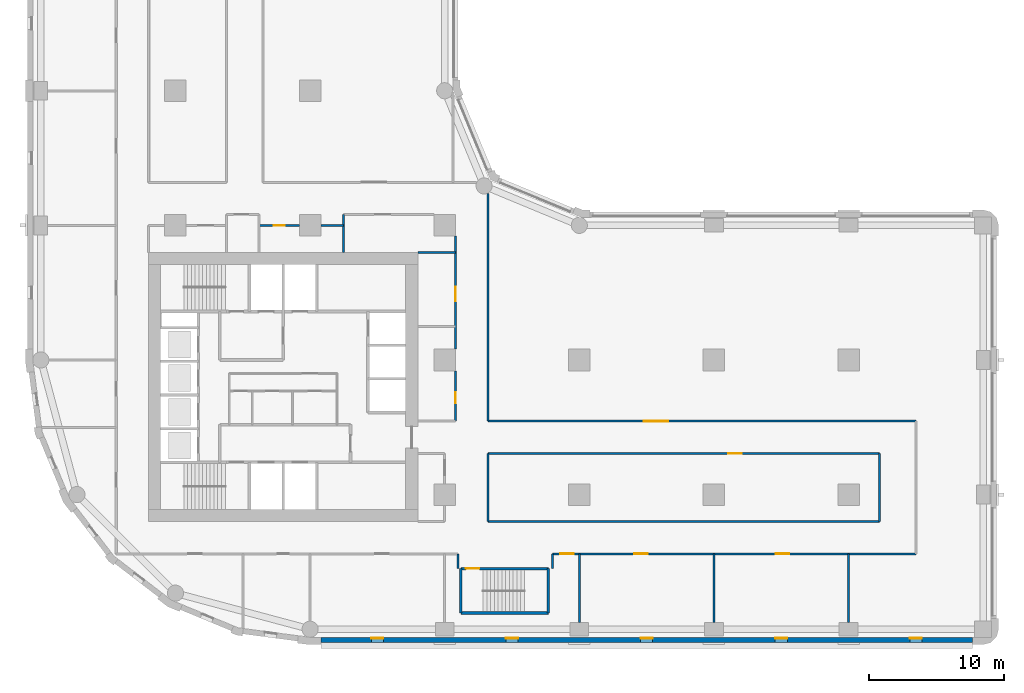
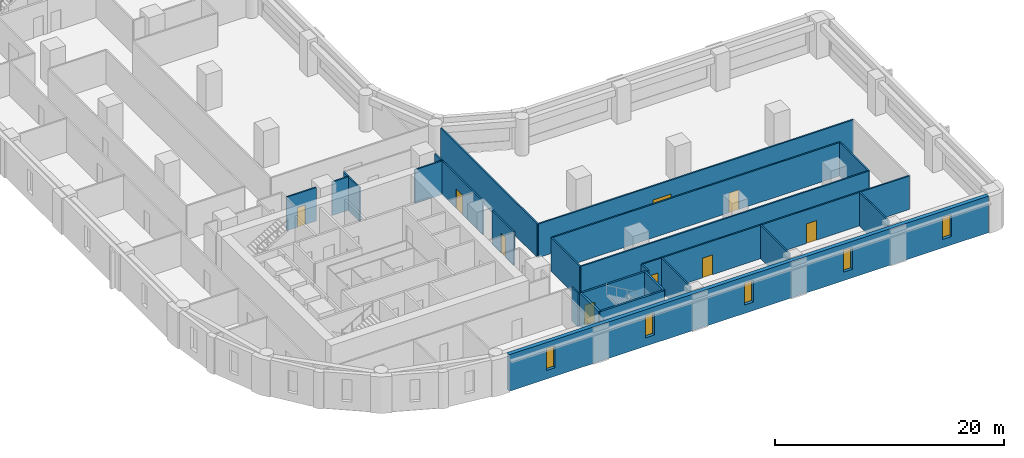
# One storey, part 4 of 10: 23 walls, 9 doors, 5 windows, 14 openings.
"""IFC4 building model written with IfcOpenShell, lengths in metres."""

from ifc_helpers import new_model, si_unit, direction, frame, frame_2d, origin, place, context, subcontext, project, spatial, rectangle, extrude, material, layer, layer_set, type_object, element, fill, save


model = new_model("IFC4")

# Units and contexts
model_context = context("Model", 3, precision=1e-05, world=origin(), true_north=direction((0.0, 1.0)))
body_context = subcontext(model_context, "Body", "Model", "MODEL_VIEW")
ifc_project = project(units=[si_unit("LENGTHUNIT", "METRE"), si_unit("AREAUNIT", "SQUARE_METRE"), si_unit("VOLUMEUNIT", "CUBIC_METRE"), si_unit("PLANEANGLEUNIT", "RADIAN"), si_unit("MASSUNIT", "GRAM", prefix="KILO")], contexts=[model_context])

# Site, building, storey
site_placement = place(None, origin())
site = spatial("IfcSite", under=ifc_project, at=site_placement, CompositionType="ELEMENT")
building_placement = place(site_placement, origin())
building = spatial("IfcBuilding", under=site, at=building_placement, Name="Qaws Garden Tower", CompositionType="ELEMENT")
storey_placement = place(building_placement, frame((0.0, 0.0, 47.10009765625)))
storey = spatial("IfcBuildingStorey", under=building, at=storey_placement, Name="L11", CompositionType="ELEMENT", Elevation=47.10009765625)

# Wall, openings, windows
ifc_material_1 = material(Name="Clay facing brick masonry", Category="masonry")
ifc_layer_1 = layer(ifc_material_1, 0.39990234375)
ifc_layer_set_1 = layer_set([ifc_layer_1], Name="Clay facing brick masonry")
wall_type_1 = type_object("IfcWallType", Name="Brick infill wall 400", PredefinedType="SOLIDWALL", material=ifc_layer_set_1)
wall_1_placement = place(storey_placement, frame((20.800048828125, -0.800048828125, 0.0), z_axis=(0.0, 0.0, 1.0), x_axis=(1.0, 0.0, 0.0)))
wall_1 = element("IfcWall", 1, at=wall_1_placement, inside=storey, type_object=wall_type_1, Name="E-L11-infill-00", PredefinedType="SOLIDWALL", context=body_context, shape_type="SweptSolid", body=[
    extrude(rectangle(XDim=48.39990234375, YDim=0.39990234375, at=frame_2d((24.199951171875, 0.0))), origin(), (0.0, 0.0, 1.0), 3.89990234375),
])
opening_1_placement = place(wall_1_placement, frame((3.75, 0.0, 0.89990234375)))
opening_1 = element("IfcOpeningElement", 2, at=opening_1_placement, cuts=wall_1, Name="Opening W09", PredefinedType="OPENING", context=body_context, shape_type="SweptSolid", body=[
    extrude(rectangle(XDim=0.89990234375, YDim=2.35009765625, at=frame_2d((0.449951171875, 1.175048828125))), frame((0.0, 0.2099609375, 0.0), z_axis=(0.0, -1.0, 0.0), x_axis=(1.0, 0.0, 0.0)), (0.0, 0.0, 1.0), 0.419921875),
])
opening_2_placement = place(wall_1_placement, frame((13.75, 0.0, 0.89990234375)))
opening_2 = element("IfcOpeningElement", 3, at=opening_2_placement, cuts=wall_1, Name="Opening W09", PredefinedType="OPENING", context=body_context, shape_type="SweptSolid", body=[
    extrude(rectangle(XDim=0.89990234375, YDim=2.35009765625, at=frame_2d((0.449951171875, 1.175048828125))), frame((0.0, 0.2099609375, 0.0), z_axis=(0.0, -1.0, 0.0), x_axis=(1.0, 0.0, 0.0)), (0.0, 0.0, 1.0), 0.419921875),
])
opening_3_placement = place(wall_1_placement, frame((23.75, 0.0, 0.89990234375)))
opening_3 = element("IfcOpeningElement", 4, at=opening_3_placement, cuts=wall_1, Name="Opening W09", PredefinedType="OPENING", context=body_context, shape_type="SweptSolid", body=[
    extrude(rectangle(XDim=0.89990234375, YDim=2.35009765625, at=frame_2d((0.449951171875, 1.175048828125))), frame((0.0, 0.2099609375, 0.0), z_axis=(0.0, -1.0, 0.0), x_axis=(1.0, 0.0, 0.0)), (0.0, 0.0, 1.0), 0.419921875),
])
opening_4_placement = place(wall_1_placement, frame((33.75, 0.0, 0.89990234375)))
opening_4 = element("IfcOpeningElement", 5, at=opening_4_placement, cuts=wall_1, Name="Opening W09", PredefinedType="OPENING", context=body_context, shape_type="SweptSolid", body=[
    extrude(rectangle(XDim=0.89990234375, YDim=2.35009765625, at=frame_2d((0.449951171875, 1.175048828125))), frame((0.0, 0.2099609375, 0.0), z_axis=(0.0, -1.0, 0.0), x_axis=(1.0, 0.0, 0.0)), (0.0, 0.0, 1.0), 0.419921875),
])
opening_5_placement = place(wall_1_placement, frame((43.75, 0.0, 0.89990234375)))
opening_5 = element("IfcOpeningElement", 6, at=opening_5_placement, cuts=wall_1, Name="Opening W09", PredefinedType="OPENING", context=body_context, shape_type="SweptSolid", body=[
    extrude(rectangle(XDim=0.89990234375, YDim=2.35009765625, at=frame_2d((0.449951171875, 1.175048828125))), frame((0.0, 0.2099609375, 0.0), z_axis=(0.0, -1.0, 0.0), x_axis=(1.0, 0.0, 0.0)), (0.0, 0.0, 1.0), 0.419921875),
])
ifc_material_2 = material(Name="Aluminium framed window, clear glazing", Category="aluminium")
window_type = type_object("IfcWindowType", Name="Slit window 900 x 2350", PartitioningType="SINGLE_PANEL", PredefinedType="WINDOW", material=ifc_material_2)
window_1_placement = place(opening_1_placement, origin())
window_1 = element("IfcWindow", 7, at=window_1_placement, inside=storey, type_object=window_type, Name="E-L11-window-00-0", OverallHeight=2.35009765625, OverallWidth=0.89990234375, PartitioningType="SINGLE_PANEL", PredefinedType="WINDOW", context=body_context, shape_type="SweptSolid", body=[
    extrude(rectangle(XDim=0.89990234375, YDim=2.35009765625, at=frame_2d((0.449951171875, 1.175048828125))), frame((0.0, 0.159912109375, 0.0), z_axis=(0.0, -1.0, 0.0), x_axis=(1.0, 0.0, 0.0)), (0.0, 0.0, 1.0), 0.06005859375),
])
fill(opening_1, window_1)
window_2_placement = place(opening_2_placement, origin())
window_2 = element("IfcWindow", 8, at=window_2_placement, inside=storey, type_object=window_type, Name="E-L11-window-01-0", OverallHeight=2.35009765625, OverallWidth=0.89990234375, PartitioningType="SINGLE_PANEL", PredefinedType="WINDOW", context=body_context, shape_type="SweptSolid", body=[
    extrude(rectangle(XDim=0.89990234375, YDim=2.35009765625, at=frame_2d((0.449951171875, 1.175048828125))), frame((0.0, 0.159912109375, 0.0), z_axis=(0.0, -1.0, 0.0), x_axis=(1.0, 0.0, 0.0)), (0.0, 0.0, 1.0), 0.06005859375),
])
fill(opening_2, window_2)
window_3_placement = place(opening_3_placement, origin())
window_3 = element("IfcWindow", 9, at=window_3_placement, inside=storey, type_object=window_type, Name="E-L11-window-02-0", OverallHeight=2.35009765625, OverallWidth=0.89990234375, PartitioningType="SINGLE_PANEL", PredefinedType="WINDOW", context=body_context, shape_type="SweptSolid", body=[
    extrude(rectangle(XDim=0.89990234375, YDim=2.35009765625, at=frame_2d((0.449951171875, 1.175048828125))), frame((0.0, 0.159912109375, 0.0), z_axis=(0.0, -1.0, 0.0), x_axis=(1.0, 0.0, 0.0)), (0.0, 0.0, 1.0), 0.06005859375),
])
fill(opening_3, window_3)
window_4_placement = place(opening_4_placement, origin())
window_4 = element("IfcWindow", 10, at=window_4_placement, inside=storey, type_object=window_type, Name="E-L11-window-03-0", OverallHeight=2.35009765625, OverallWidth=0.89990234375, PartitioningType="SINGLE_PANEL", PredefinedType="WINDOW", context=body_context, shape_type="SweptSolid", body=[
    extrude(rectangle(XDim=0.89990234375, YDim=2.35009765625, at=frame_2d((0.449951171875, 1.175048828125))), frame((0.0, 0.159912109375, 0.0), z_axis=(0.0, -1.0, 0.0), x_axis=(1.0, 0.0, 0.0)), (0.0, 0.0, 1.0), 0.06005859375),
])
fill(opening_4, window_4)
window_5_placement = place(opening_5_placement, origin())
window_5 = element("IfcWindow", 11, at=window_5_placement, inside=storey, type_object=window_type, Name="E-L11-window-04-0", OverallHeight=2.35009765625, OverallWidth=0.89990234375, PartitioningType="SINGLE_PANEL", PredefinedType="WINDOW", context=body_context, shape_type="SweptSolid", body=[
    extrude(rectangle(XDim=0.89990234375, YDim=2.35009765625, at=frame_2d((0.449951171875, 1.175048828125))), frame((0.0, 0.159912109375, 0.0), z_axis=(0.0, -1.0, 0.0), x_axis=(1.0, 0.0, 0.0)), (0.0, 0.0, 1.0), 0.06005859375),
])
fill(opening_5, window_5)

# Wall
ifc_material_3 = material(Name="Concrete C80", Category="concrete")
ifc_layer_2 = layer(ifc_material_3, 0.199951171875)
ifc_layer_set_2 = layer_set([ifc_layer_2], Name="Concrete C80")
wall_type_2 = type_object("IfcWallType", Name="Core shaft wall 200 C80", PredefinedType="SHEAR", material=ifc_layer_set_2)
wall_2_placement = place(storey_placement, frame((31.199951171875, 1.199951171875, 0.0), z_axis=(0.0, 0.0, 1.0), x_axis=(1.0, 0.0, 0.0)))
element("IfcWall", 12, at=wall_2_placement, inside=storey, type_object=wall_type_2, Name="Shaft wall", PredefinedType="SHEAR", context=body_context, shape_type="SweptSolid", body=[
    extrude(rectangle(XDim=6.5, YDim=0.199951171875, at=frame_2d((3.25, 0.0))), origin(), (0.0, 0.0, 1.0), 3.579833984375),
])

# Wall, opening, door
wall_3_placement = place(storey_placement, frame((31.199951171875, 4.5, 0.0), z_axis=(0.0, 0.0, 1.0), x_axis=(1.0, 0.0, 0.0)))
wall_3 = element("IfcWall", 13, at=wall_3_placement, inside=storey, type_object=wall_type_2, Name="Shaft wall", PredefinedType="SHEAR", context=body_context, shape_type="SweptSolid", body=[
    extrude(rectangle(XDim=6.5, YDim=0.199951171875, at=frame_2d((3.25, 0.0))), origin(), (0.0, 0.0, 1.0), 3.579833984375),
])
opening_6_placement = place(wall_3_placement, frame((0.375, 0.0, 0.0)))
opening_6 = element("IfcOpeningElement", 14, at=opening_6_placement, cuts=wall_3, Name="Opening SD12", PredefinedType="OPENING", context=body_context, shape_type="SweptSolid", body=[
    extrude(rectangle(XDim=1.0, YDim=2.10009765625, at=frame_2d((0.5, 1.050048828125))), frame((0.0, 0.10986328125, 0.0), z_axis=(0.0, -1.0, 0.0), x_axis=(1.0, 0.0, 0.0)), (0.0, 0.0, 1.0), 0.219970703125),
])
ifc_material_4 = material(Name="Steel S235", Category="steel")
door_type_1 = type_object("IfcDoorType", Name="Stair door 1000x2100", OperationType="SINGLE_SWING_RIGHT", PredefinedType="DOOR", material=ifc_material_4)
door_1_placement = place(opening_6_placement, frame((1.0, 0.0, 0.0), z_axis=(0.0, 0.0, 1.0), x_axis=(-1.0, 0.0, 0.0)))
door_1 = element("IfcDoor", 15, at=door_1_placement, inside=storey, type_object=door_type_1, Name="Stair 5 door", OperationType="SINGLE_SWING_RIGHT", OverallHeight=2.10009765625, OverallWidth=1.0, PredefinedType="DOOR", context=body_context, shape_type="SweptSolid", body=[
    extrude(rectangle(XDim=1.0, YDim=2.10009765625, at=frame_2d((0.5, 1.050048828125))), frame((0.0, 0.02490234375, 0.0), z_axis=(0.0, -1.0, 0.0), x_axis=(1.0, 0.0, 0.0)), (0.0, 0.0, 1.0), 0.050048828125),
])
fill(opening_6, door_1)

# Walls
for number, where, z_axis, x_axis, name in (
    (16, (31.199951171875, 1.199951171875, 0.0), (0.0, 0.0, 1.0), (0.0, 1.0, 0.0), "Shaft wall"),
    (17, (37.699951171875, 1.199951171875, 0.0), (0.0, 0.0, 1.0), (0.0, 1.0, 0.0), "Shaft wall"),
):
    element("IfcWall", number, at=place(storey_placement, frame(where, z_axis=z_axis, x_axis=x_axis)), inside=storey, type_object=wall_type_2, Name=name, PredefinedType="SHEAR", context=body_context, shape_type="SweptSolid", body=[
        extrude(rectangle(XDim=3.300048828125, YDim=0.199951171875, at=frame_2d((1.64990234375, 0.0))), origin(), (0.0, 0.0, 1.0), 3.579833984375),
    ])
ifc_material_5 = material(Name="Gypsum board partition")
ifc_layer_3 = layer(ifc_material_5, 0.14990234375)
ifc_layer_set_3 = layer_set([ifc_layer_3], Name="Gypsum board partition")
wall_type_3 = type_object("IfcWallType", Name="PARTITION 150 EI 60", PredefinedType="PARTITIONING", material=ifc_layer_set_3)
wall_4_placement = place(storey_placement, frame((22.5, 28.0, 0.0), z_axis=(0.0, 0.0, 1.0), x_axis=(0.0, 1.0, 0.0)))
element("IfcWall", 18, at=wall_4_placement, inside=storey, type_object=wall_type_3, Name="O-L11-wall-012", PredefinedType="PARTITIONING", context=body_context, shape_type="SweptSolid", body=[
    extrude(rectangle(XDim=2.800048828125, YDim=0.14990234375, at=frame_2d((1.39990234375, 0.0))), origin(), (0.0, 0.0, 1.0), 3.579833984375),
])

# Wall, opening, door
wall_5_placement = place(storey_placement, frame((30.800048828125, 15.449951171875, 0.0), z_axis=(0.0, 0.0, 1.0), x_axis=(0.0, 1.0, 0.0)))
wall_5 = element("IfcWall", 19, at=wall_5_placement, inside=storey, type_object=wall_type_3, Name="O-L11-wall-018", PredefinedType="PARTITIONING", context=body_context, shape_type="SweptSolid", body=[
    extrude(rectangle(XDim=3.75, YDim=0.14990234375, at=frame_2d((1.875, 0.0))), origin(), (0.0, 0.0, 1.0), 3.579833984375),
])
opening_7_placement = place(wall_5_placement, frame((1.35009765625, 0.0, 0.0)))
opening_7 = element("IfcOpeningElement", 20, at=opening_7_placement, cuts=wall_5, Name="Opening A408", PredefinedType="OPENING", context=body_context, shape_type="SweptSolid", body=[
    extrude(rectangle(XDim=0.800048828125, YDim=2.10009765625, at=frame_2d((0.39990234375, 1.050048828125))), frame((0.0, 0.0849609375, 0.0), z_axis=(0.0, -1.0, 0.0), x_axis=(1.0, 0.0, 0.0)), (0.0, 0.0, 1.0), 0.169921875),
])
ifc_material_6 = material(Name="Timber door leaf", Category="wood")
door_type_2 = type_object("IfcDoorType", Name="STORE DOOR 800 X 2100", OperationType="SINGLE_SWING_LEFT", PredefinedType="DOOR", material=ifc_material_6)
door_2_placement = place(opening_7_placement, origin())
door_2 = element("IfcDoor", 21, at=door_2_placement, inside=storey, type_object=door_type_2, Name="O-L11-door-008", OperationType="SINGLE_SWING_LEFT", OverallHeight=2.10009765625, OverallWidth=0.800048828125, PredefinedType="DOOR", context=body_context, shape_type="SweptSolid", body=[
    extrude(rectangle(XDim=0.800048828125, YDim=2.10009765625, at=frame_2d((0.39990234375, 1.050048828125))), frame((0.0, 0.02490234375, 0.0), z_axis=(0.0, -1.0, 0.0), x_axis=(1.0, 0.0, 0.0)), (0.0, 0.0, 1.0), 0.050048828125),
])
fill(opening_7, door_2)

wall_6_placement = place(storey_placement, frame((30.800048828125, 20.800048828125, 0.0), z_axis=(0.0, 0.0, 1.0), x_axis=(0.0, 1.0, 0.0)))
wall_6 = element("IfcWall", 22, at=wall_6_placement, inside=storey, type_object=wall_type_3, Name="O-L11-wall-019", PredefinedType="PARTITIONING", context=body_context, shape_type="SweptSolid", body=[
    extrude(rectangle(XDim=8.39990234375, YDim=0.14990234375, at=frame_2d((4.199951171875, 0.0))), origin(), (0.0, 0.0, 1.0), 3.579833984375),
])
opening_8_placement = place(wall_6_placement, frame((3.550048828125, 0.0, 0.0)))
opening_8 = element("IfcOpeningElement", 23, at=opening_8_placement, cuts=wall_6, Name="Opening A409", PredefinedType="OPENING", context=body_context, shape_type="SweptSolid", body=[
    extrude(rectangle(XDim=1.10009765625, YDim=2.10009765625, at=frame_2d((0.550048828125, 1.050048828125))), frame((0.0, 0.0849609375, 0.0), z_axis=(0.0, -1.0, 0.0), x_axis=(1.0, 0.0, 0.0)), (0.0, 0.0, 1.0), 0.169921875),
])
ifc_material_7 = material(Name="Timber door leaf", Category="wood")
door_type_3 = type_object("IfcDoorType", Name="SERVICE ROOM DOOR 1100 X 2100", OperationType="SINGLE_SWING_LEFT", PredefinedType="DOOR", material=ifc_material_7)
door_3_placement = place(opening_8_placement, origin())
door_3 = element("IfcDoor", 24, at=door_3_placement, inside=storey, type_object=door_type_3, Name="O-L11-door-009", OperationType="SINGLE_SWING_RIGHT", OverallHeight=2.10009765625, OverallWidth=1.10009765625, PredefinedType="DOOR", context=body_context, shape_type="SweptSolid", body=[
    extrude(rectangle(XDim=1.10009765625, YDim=2.10009765625, at=frame_2d((0.550048828125, 1.050048828125))), frame((0.0, 0.02490234375, 0.0), z_axis=(0.0, -1.0, 0.0), x_axis=(1.0, 0.0, 0.0)), (0.0, 0.0, 1.0), 0.050048828125),
])
fill(opening_8, door_3)

# Walls
wall_7_placement = place(storey_placement, frame((31.0, 4.5, 0.0), z_axis=(0.0, 0.0, 1.0), x_axis=(0.0, 1.0, 0.0)))
element("IfcWall", 25, at=wall_7_placement, inside=storey, type_object=wall_type_3, Name="O-L11-wall-020", PredefinedType="PARTITIONING", context=body_context, shape_type="SweptSolid", body=[
    extrude(rectangle(XDim=1.10009765625, YDim=0.14990234375, at=frame_2d((0.550048828125, 0.0))), origin(), (0.0, 0.0, 1.0), 3.579833984375),
])
wall_8_placement = place(storey_placement, frame((33.199951171875, 8.0, 0.0), z_axis=(0.0, 0.0, 1.0), x_axis=(0.0, 1.0, 0.0)))
element("IfcWall", 26, at=wall_8_placement, inside=storey, type_object=wall_type_3, Name="O-L11-wall-021", PredefinedType="PARTITIONING", context=body_context, shape_type="SweptSolid", body=[
    extrude(rectangle(XDim=5.050048828125, YDim=0.14990234375, at=frame_2d((2.52490234375, 0.0))), origin(), (0.0, 0.0, 1.0), 3.579833984375),
])
wall_9_placement = place(storey_placement, frame((33.199951171875, 15.449951171875, 0.0), z_axis=(0.0, 0.0, 1.0), x_axis=(0.0, 1.0, 0.0)))
element("IfcWall", 27, at=wall_9_placement, inside=storey, type_object=wall_type_3, Name="O-L11-wall-022", PredefinedType="PARTITIONING", context=body_context, shape_type="SweptSolid", body=[
    extrude(rectangle(XDim=16.912109375, YDim=0.14990234375, at=frame_2d((8.4560546875, 0.0))), origin(), (0.0, 0.0, 1.0), 3.579833984375),
])
wall_10_placement = place(storey_placement, frame((38.0, 4.5, 0.0), z_axis=(0.0, 0.0, 1.0), x_axis=(0.0, 1.0, 0.0)))
element("IfcWall", 28, at=wall_10_placement, inside=storey, type_object=wall_type_3, Name="O-L11-wall-023", PredefinedType="PARTITIONING", context=body_context, shape_type="SweptSolid", body=[
    extrude(rectangle(XDim=1.10009765625, YDim=0.14990234375, at=frame_2d((0.550048828125, 0.0))), origin(), (0.0, 0.0, 1.0), 3.579833984375),
])
for number, where, z_axis, x_axis, name in (
    (29, (40.0, 0.5, 0.0), (0.0, 0.0, 1.0), (0.0, 1.0, 0.0), "O-L11-wall-024"),
    (30, (50.0, 0.5, 0.0), (0.0, 0.0, 1.0), (0.0, 1.0, 0.0), "O-L11-wall-025"),
    (31, (60.0, 0.5, 0.0), (0.0, 0.0, 1.0), (0.0, 1.0, 0.0), "O-L11-wall-026"),
):
    element("IfcWall", number, at=place(storey_placement, frame(where, z_axis=z_axis, x_axis=x_axis)), inside=storey, type_object=wall_type_3, Name=name, PredefinedType="PARTITIONING", context=body_context, shape_type="SweptSolid", body=[
        extrude(rectangle(XDim=5.10009765625, YDim=0.14990234375, at=frame_2d((2.550048828125, 0.0))), origin(), (0.0, 0.0, 1.0), 3.579833984375),
    ])
wall_11_placement = place(storey_placement, frame((62.300048828125, 8.0, 0.0), z_axis=(0.0, 0.0, 1.0), x_axis=(0.0, 1.0, 0.0)))
element("IfcWall", 32, at=wall_11_placement, inside=storey, type_object=wall_type_3, Name="O-L11-wall-027", PredefinedType="PARTITIONING", context=body_context, shape_type="SweptSolid", body=[
    extrude(rectangle(XDim=5.050048828125, YDim=0.14990234375, at=frame_2d((2.52490234375, 0.0))), origin(), (0.0, 0.0, 1.0), 3.579833984375),
])

# Wall, openings, doors
wall_12_placement = place(storey_placement, frame((38.0, 5.60009765625, 0.0), z_axis=(0.0, 0.0, 1.0), x_axis=(1.0, 0.0, 0.0)))
wall_12 = element("IfcWall", 33, at=wall_12_placement, inside=storey, type_object=wall_type_3, Name="O-L11-wall-030", PredefinedType="PARTITIONING", context=body_context, shape_type="SweptSolid", body=[
    extrude(rectangle(XDim=27.0, YDim=0.14990234375, at=frame_2d((13.5, 0.0))), origin(), (0.0, 0.0, 1.0), 3.579833984375),
])
opening_9_placement = place(wall_12_placement, frame((6.10009765625, 0.0, 0.0)))
opening_9 = element("IfcOpeningElement", 34, at=opening_9_placement, cuts=wall_12, Name="Opening A403", PredefinedType="OPENING", context=body_context, shape_type="SweptSolid", body=[
    extrude(rectangle(XDim=1.0, YDim=2.10009765625, at=frame_2d((0.5, 1.050048828125))), frame((0.0, 0.0849609375, 0.0), z_axis=(0.0, -1.0, 0.0), x_axis=(1.0, 0.0, 0.0)), (0.0, 0.0, 1.0), 0.169921875),
])
opening_10_placement = place(wall_12_placement, frame((16.60009765625, 0.0, 0.0)))
opening_10 = element("IfcOpeningElement", 35, at=opening_10_placement, cuts=wall_12, Name="Opening A404", PredefinedType="OPENING", context=body_context, shape_type="SweptSolid", body=[
    extrude(rectangle(XDim=1.0, YDim=2.10009765625, at=frame_2d((0.5, 1.050048828125))), frame((0.0, 0.0849609375, 0.0), z_axis=(0.0, -1.0, 0.0), x_axis=(1.0, 0.0, 0.0)), (0.0, 0.0, 1.0), 0.169921875),
])
opening_11_placement = place(wall_12_placement, frame((0.60009765625, 0.0, 0.0)))
opening_11 = element("IfcOpeningElement", 36, at=opening_11_placement, cuts=wall_12, Name="Opening A424", PredefinedType="OPENING", context=body_context, shape_type="SweptSolid", body=[
    extrude(rectangle(XDim=1.0, YDim=2.10009765625, at=frame_2d((0.5, 1.050048828125))), frame((0.0, 0.0849609375, 0.0), z_axis=(0.0, -1.0, 0.0), x_axis=(1.0, 0.0, 0.0)), (0.0, 0.0, 1.0), 0.169921875),
])
ifc_material_8 = material(Name="Timber door leaf", Category="wood")
door_type_4 = type_object("IfcDoorType", Name="TENANCY ENTRANCE DOOR 1000 X 2100", OperationType="SINGLE_SWING_LEFT", PredefinedType="DOOR", material=ifc_material_8)
door_4_placement = place(opening_9_placement, frame((1.0, 0.0, 0.0), z_axis=(0.0, 0.0, 1.0), x_axis=(-1.0, 0.0, 0.0)))
door_4 = element("IfcDoor", 37, at=door_4_placement, inside=storey, type_object=door_type_4, Name="O-L11-door-003", OperationType="SINGLE_SWING_RIGHT", OverallHeight=2.10009765625, OverallWidth=1.0, PredefinedType="DOOR", context=body_context, shape_type="SweptSolid", body=[
    extrude(rectangle(XDim=1.0, YDim=2.10009765625, at=frame_2d((0.5, 1.050048828125))), frame((0.0, 0.02490234375, 0.0), z_axis=(0.0, -1.0, 0.0), x_axis=(1.0, 0.0, 0.0)), (0.0, 0.0, 1.0), 0.050048828125),
])
fill(opening_9, door_4)
door_5_placement = place(opening_10_placement, frame((1.0, 0.0, 0.0), z_axis=(0.0, 0.0, 1.0), x_axis=(-1.0, 0.0, 0.0)))
door_5 = element("IfcDoor", 38, at=door_5_placement, inside=storey, type_object=door_type_4, Name="O-L11-door-004", OperationType="SINGLE_SWING_RIGHT", OverallHeight=2.10009765625, OverallWidth=1.0, PredefinedType="DOOR", context=body_context, shape_type="SweptSolid", body=[
    extrude(rectangle(XDim=1.0, YDim=2.10009765625, at=frame_2d((0.5, 1.050048828125))), frame((0.0, 0.02490234375, 0.0), z_axis=(0.0, -1.0, 0.0), x_axis=(1.0, 0.0, 0.0)), (0.0, 0.0, 1.0), 0.050048828125),
])
fill(opening_10, door_5)
door_6_placement = place(opening_11_placement, frame((1.0, 0.0, 0.0), z_axis=(0.0, 0.0, 1.0), x_axis=(-1.0, 0.0, 0.0)))
door_6 = element("IfcDoor", 39, at=door_6_placement, inside=storey, type_object=door_type_4, Name="O-L11-door-024", OperationType="SINGLE_SWING_LEFT", OverallHeight=2.10009765625, OverallWidth=1.0, PredefinedType="DOOR", context=body_context, shape_type="SweptSolid", body=[
    extrude(rectangle(XDim=1.0, YDim=2.10009765625, at=frame_2d((0.5, 1.050048828125))), frame((0.0, 0.02490234375, 0.0), z_axis=(0.0, -1.0, 0.0), x_axis=(1.0, 0.0, 0.0)), (0.0, 0.0, 1.0), 0.050048828125),
])
fill(opening_11, door_6)

# Wall
wall_13_placement = place(storey_placement, frame((33.199951171875, 8.0, 0.0), z_axis=(0.0, 0.0, 1.0), x_axis=(1.0, 0.0, 0.0)))
element("IfcWall", 40, at=wall_13_placement, inside=storey, type_object=wall_type_3, Name="O-L11-wall-032", PredefinedType="PARTITIONING", context=body_context, shape_type="SweptSolid", body=[
    extrude(rectangle(XDim=29.10009765625, YDim=0.14990234375, at=frame_2d((14.550048828125, 0.0))), origin(), (0.0, 0.0, 1.0), 3.579833984375),
])

# Wall, opening, door
wall_14_placement = place(storey_placement, frame((33.199951171875, 13.050048828125, 0.0), z_axis=(0.0, 0.0, 1.0), x_axis=(1.0, 0.0, 0.0)))
wall_14 = element("IfcWall", 41, at=wall_14_placement, inside=storey, type_object=wall_type_3, Name="O-L11-wall-034", PredefinedType="PARTITIONING", context=body_context, shape_type="SweptSolid", body=[
    extrude(rectangle(XDim=29.10009765625, YDim=0.14990234375, at=frame_2d((14.550048828125, 0.0))), origin(), (0.0, 0.0, 1.0), 3.579833984375),
])
opening_12_placement = place(wall_14_placement, frame((17.85009765625, 0.0, 0.0)))
opening_12 = element("IfcOpeningElement", 42, at=opening_12_placement, cuts=wall_14, Name="Opening A405", PredefinedType="OPENING", context=body_context, shape_type="SweptSolid", body=[
    extrude(rectangle(XDim=1.0, YDim=2.10009765625, at=frame_2d((0.5, 1.050048828125))), frame((0.0, 0.0849609375, 0.0), z_axis=(0.0, -1.0, 0.0), x_axis=(1.0, 0.0, 0.0)), (0.0, 0.0, 1.0), 0.169921875),
])
door_7_placement = place(opening_12_placement, frame((1.0, 0.0, 0.0), z_axis=(0.0, 0.0, 1.0), x_axis=(-1.0, 0.0, 0.0)))
door_7 = element("IfcDoor", 43, at=door_7_placement, inside=storey, type_object=door_type_4, Name="O-L11-door-005", OperationType="SINGLE_SWING_RIGHT", OverallHeight=2.10009765625, OverallWidth=1.0, PredefinedType="DOOR", context=body_context, shape_type="SweptSolid", body=[
    extrude(rectangle(XDim=1.0, YDim=2.10009765625, at=frame_2d((0.5, 1.050048828125))), frame((0.0, 0.02490234375, 0.0), z_axis=(0.0, -1.0, 0.0), x_axis=(1.0, 0.0, 0.0)), (0.0, 0.0, 1.0), 0.050048828125),
])
fill(opening_12, door_7)

wall_15_placement = place(storey_placement, frame((33.199951171875, 15.449951171875, 0.0), z_axis=(0.0, 0.0, 1.0), x_axis=(1.0, 0.0, 0.0)))
wall_15 = element("IfcWall", 44, at=wall_15_placement, inside=storey, type_object=wall_type_3, Name="O-L11-wall-037", PredefinedType="PARTITIONING", context=body_context, shape_type="SweptSolid", body=[
    extrude(rectangle(XDim=31.800048828125, YDim=0.14990234375, at=frame_2d((15.89990234375, 0.0))), origin(), (0.0, 0.0, 1.0), 3.579833984375),
])
opening_13_placement = place(wall_15_placement, frame((11.60009765625, 0.0, 0.0)))
opening_13 = element("IfcOpeningElement", 45, at=opening_13_placement, cuts=wall_15, Name="Opening A406", PredefinedType="OPENING", context=body_context, shape_type="SweptSolid", body=[
    extrude(rectangle(XDim=1.800048828125, YDim=2.10009765625, at=frame_2d((0.89990234375, 1.050048828125))), frame((0.0, 0.0849609375, 0.0), z_axis=(0.0, -1.0, 0.0), x_axis=(1.0, 0.0, 0.0)), (0.0, 0.0, 1.0), 0.169921875),
])
ifc_material_9 = material(Name="Timber door leaf", Category="wood")
door_type_5 = type_object("IfcDoorType", Name="DOUBLE DOOR 1800 X 2100", OperationType="DOUBLE_DOOR_SINGLE_SWING", PredefinedType="DOOR", material=ifc_material_9)
door_8_placement = place(opening_13_placement, origin())
door_8 = element("IfcDoor", 46, at=door_8_placement, inside=storey, type_object=door_type_5, Name="O-L11-door-006", OperationType="DOUBLE_DOOR_SINGLE_SWING", OverallHeight=2.10009765625, OverallWidth=1.800048828125, PredefinedType="DOOR", context=body_context, shape_type="SweptSolid", body=[
    extrude(rectangle(XDim=1.800048828125, YDim=2.10009765625, at=frame_2d((0.89990234375, 1.050048828125))), frame((0.0, 0.02490234375, 0.0), z_axis=(0.0, -1.0, 0.0), x_axis=(1.0, 0.0, 0.0)), (0.0, 0.0, 1.0), 0.050048828125),
])
fill(opening_13, door_8)

# Wall
wall_16_placement = place(storey_placement, frame((28.0, 28.0, 0.0), z_axis=(0.0, 0.0, 1.0), x_axis=(1.0, 0.0, 0.0)))
element("IfcWall", 47, at=wall_16_placement, inside=storey, type_object=wall_type_3, Name="O-L11-wall-040", PredefinedType="PARTITIONING", context=body_context, shape_type="SweptSolid", body=[
    extrude(rectangle(XDim=2.800048828125, YDim=0.14990234375, at=frame_2d((1.39990234375, 0.0))), origin(), (0.0, 0.0, 1.0), 3.579833984375),
])

# Wall, opening, door
wall_17_placement = place(storey_placement, frame((16.199951171875, 30.0, 0.0), z_axis=(0.0, 0.0, 1.0), x_axis=(1.0, 0.0, 0.0)))
wall_17 = element("IfcWall", 48, at=wall_17_placement, inside=storey, type_object=wall_type_3, Name="O-L11-wall-044", PredefinedType="PARTITIONING", context=body_context, shape_type="SweptSolid", body=[
    extrude(rectangle(XDim=3.0, YDim=0.14990234375, at=frame_2d((1.5, 0.0))), origin(), (0.0, 0.0, 1.0), 3.579833984375),
])
opening_14_placement = place(wall_17_placement, frame((1.10009765625, 0.0, 0.0)))
opening_14 = element("IfcOpeningElement", 49, at=opening_14_placement, cuts=wall_17, Name="Opening A411", PredefinedType="OPENING", context=body_context, shape_type="SweptSolid", body=[
    extrude(rectangle(XDim=0.800048828125, YDim=2.10009765625, at=frame_2d((0.39990234375, 1.050048828125))), frame((0.0, 0.0849609375, 0.0), z_axis=(0.0, -1.0, 0.0), x_axis=(1.0, 0.0, 0.0)), (0.0, 0.0, 1.0), 0.169921875),
])
door_9_placement = place(opening_14_placement, frame((0.800048828125, 0.0, 0.0), z_axis=(0.0, 0.0, 1.0), x_axis=(-1.0, 0.0, 0.0)))
door_9 = element("IfcDoor", 50, at=door_9_placement, inside=storey, type_object=door_type_2, Name="O-L11-door-011", OperationType="SINGLE_SWING_RIGHT", OverallHeight=2.10009765625, OverallWidth=0.800048828125, PredefinedType="DOOR", context=body_context, shape_type="SweptSolid", body=[
    extrude(rectangle(XDim=0.800048828125, YDim=2.10009765625, at=frame_2d((0.39990234375, 1.050048828125))), frame((0.0, 0.02490234375, 0.0), z_axis=(0.0, -1.0, 0.0), x_axis=(1.0, 0.0, 0.0)), (0.0, 0.0, 1.0), 0.050048828125),
])
fill(opening_14, door_9)

# Wall
wall_18_placement = place(storey_placement, frame((20.800048828125, 30.0, 0.0), z_axis=(0.0, 0.0, 1.0), x_axis=(1.0, 0.0, 0.0)))
element("IfcWall", 51, at=wall_18_placement, inside=storey, type_object=wall_type_3, Name="O-L11-wall-045", PredefinedType="PARTITIONING", context=body_context, shape_type="SweptSolid", body=[
    extrude(rectangle(XDim=1.699951171875, YDim=0.14990234375, at=frame_2d((0.85009765625, 0.0))), origin(), (0.0, 0.0, 1.0), 3.579833984375),
])

save(model, "model.ifc")
